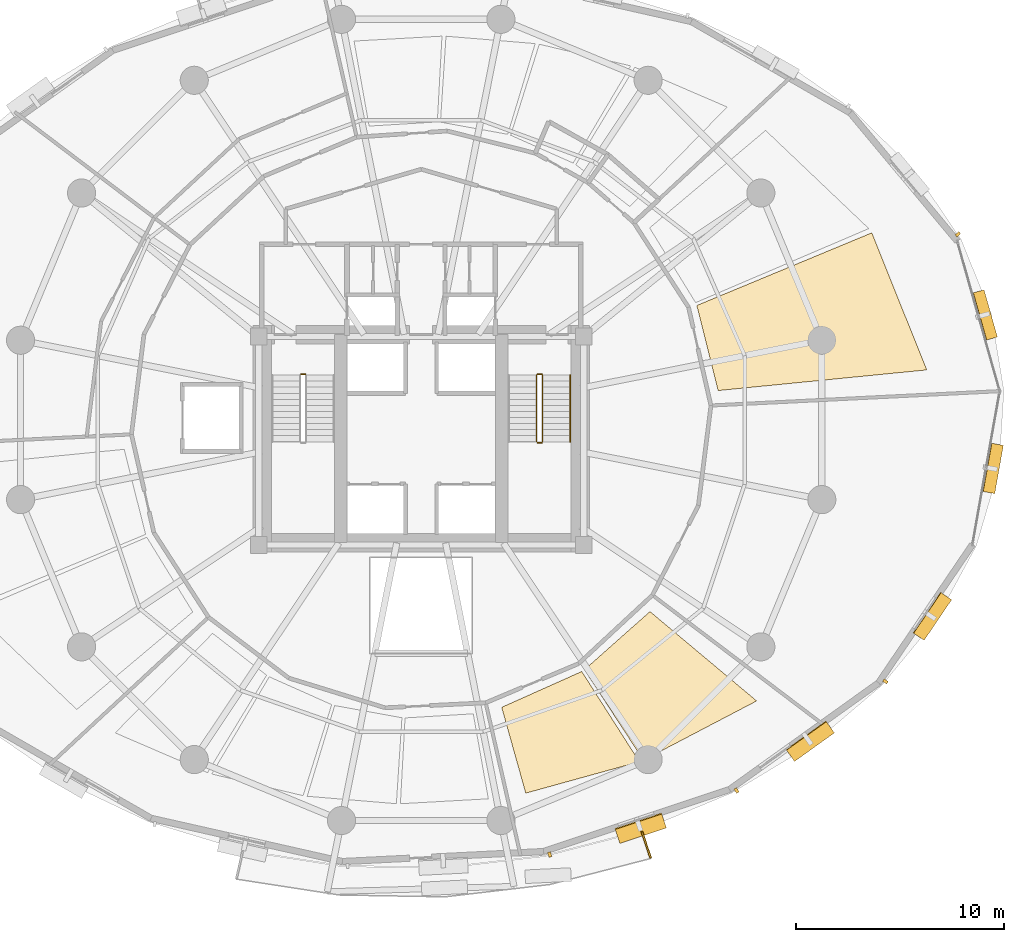
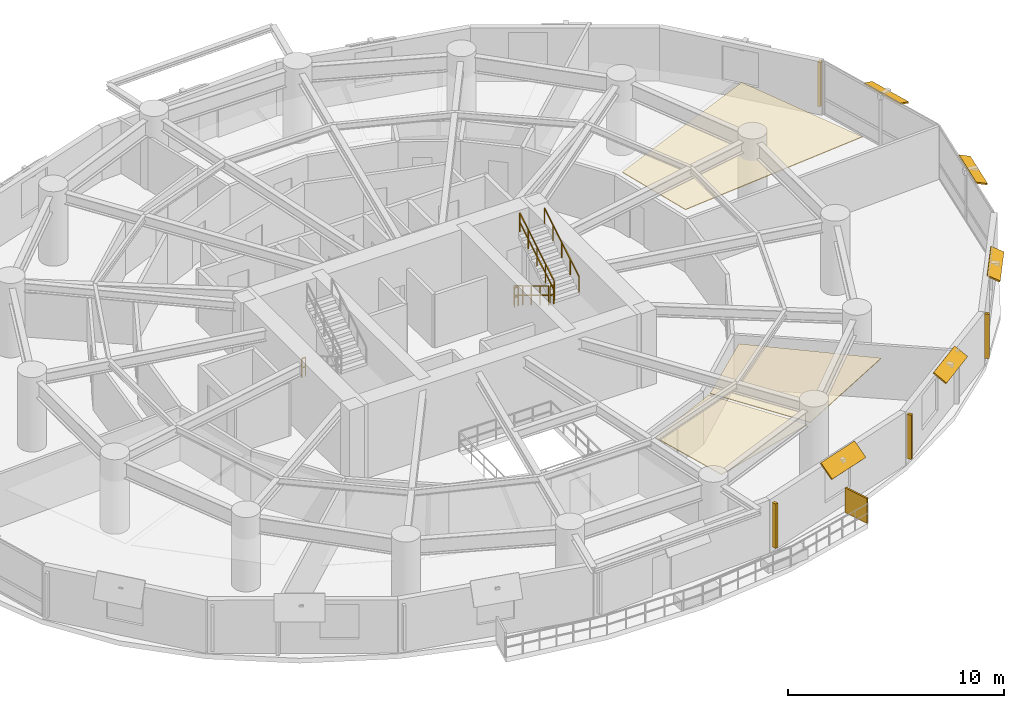
# One storey, part 15 of 16: 10 shading devices, 6 railings, 3 coverings.
"""IFC4 building model written with IfcOpenShell, lengths in metres."""

import ifcopenshell
import ifcopenshell.guid

model = None  # the IFC model being written
_history = None  # IfcOwnerHistory: only IFC2X3 demands one
_inside = {}  # id of a spatial element -> (the spatial element, [elements in it])
_under = {}  # id of a project, library or spatial element -> (it, [spatial elements below it])
_declared = {}  # id of a project -> (the project, [libraries it declares])
_typed = {}  # id of a type object -> (the type object, [elements of that type])
_made_of = {}  # id of a material, layer set ... -> (it, [elements and type objects made of it])


def new_model(schema):
    """Start an empty IFC model of exactly this schema.

    Asked for "IFC4X3", IfcOpenShell would pick the latest addendum, in which some entities
    have other attributes; the version numbers below select the first issue.
    IFC2X3 requires an IfcOwnerHistory on every rooted entity: one is made here for all.
    """
    global model, _history
    if schema == "IFC4X3":
        model = ifcopenshell.file(schema_version=(4, 3, 0, 0))
    else:
        model = ifcopenshell.file(schema=schema)
    _inside.clear()
    _under.clear()
    _declared.clear()
    _typed.clear()
    _made_of.clear()
    _history = None
    if model.schema == "IFC2X3":
        org = make("IfcOrganization", Name="unknown")
        user = make(
            "IfcPersonAndOrganization",
            ThePerson=make("IfcPerson", FamilyName="unknown"),
            TheOrganization=org,
        )
        app = make(
            "IfcApplication",
            ApplicationDeveloper=org,
            Version="unknown",
            ApplicationFullName="unknown",
            ApplicationIdentifier="unknown",
        )
        _history = make(
            "IfcOwnerHistory",
            OwningUser=user,
            OwningApplication=app,
            ChangeAction="ADDED",
            CreationDate=0,
        )
    return model


def make(cls, **values):
    """One entity of the class cls with the attributes given. An attribute that is None is left unset."""
    return model.create_entity(
        cls, **{name: value for name, value in values.items() if value is not None}
    )


def rooted(cls, **values):
    """An entity with a GlobalId (a new one), such as an element, a storey or a relation."""
    return make(cls, GlobalId=ifcopenshell.guid.new(), OwnerHistory=_history, **values)


def si_unit(unit_type, name, prefix=None):
    """IfcSIUnit, for example si_unit("LENGTHUNIT", "METRE", prefix="MILLI")."""
    return make("IfcSIUnit", UnitType=unit_type, Prefix=prefix, Name=name)


def assignment(units):
    """IfcUnitAssignment: the units of a project."""
    return None if units is None else make("IfcUnitAssignment", Units=units)


def point(xyz):
    """IfcCartesianPoint."""
    return None if xyz is None else make("IfcCartesianPoint", Coordinates=xyz)


def direction(xyz):
    """IfcDirection."""
    return None if xyz is None else make("IfcDirection", DirectionRatios=xyz)


def frame(location, z_axis=None, x_axis=None):
    """IfcAxis2Placement3D, a coordinate frame: its origin and axes. An axis left out is left unset."""
    return make(
        "IfcAxis2Placement3D",
        Location=point(location),
        Axis=direction(z_axis),
        RefDirection=direction(x_axis),
    )


def frame_2d(location, x_axis=None):
    """IfcAxis2Placement2D, a coordinate frame in the plane: its origin and x axis."""
    return make(
        "IfcAxis2Placement2D", Location=point(location), RefDirection=direction(x_axis)
    )


def origin():
    """The frame at (0, 0, 0) with its axes left unset."""
    return frame((0.0, 0.0, 0.0))


def origin_2d():
    """The frame at (0, 0) in the plane with its x axis left unset."""
    return frame_2d((0.0, 0.0))


def place(relative_to, where):
    """IfcLocalPlacement: puts the frame where relative to a parent placement (None: the world)."""
    return make(
        "IfcLocalPlacement", PlacementRelTo=relative_to, RelativePlacement=where
    )


def context(
    kind, dimensions, precision=None, world=None, true_north=None, identifier=None
):
    """IfcGeometricRepresentationContext, for example the 3D "Model" context."""
    return make(
        "IfcGeometricRepresentationContext",
        ContextIdentifier=identifier,
        ContextType=kind,
        CoordinateSpaceDimension=dimensions,
        Precision=precision,
        WorldCoordinateSystem=world,
        TrueNorth=true_north,
    )


def subcontext(parent, identifier, kind, view, scale=None):
    """IfcGeometricRepresentationSubContext, for example "Body" below "Model"."""
    return make(
        "IfcGeometricRepresentationSubContext",
        ContextIdentifier=identifier,
        ContextType=kind,
        ParentContext=parent,
        TargetScale=scale,
        TargetView=view,
    )


def project(units=None, contexts=None):
    """IfcProject with its units and contexts."""
    return rooted(
        "IfcProject",
        Name="project",
        RepresentationContexts=contexts,
        UnitsInContext=assignment(units),
    )


def spatial(cls, under=None, at=None, **own):
    """A site, building, storey or space (cls), placed at a placement, below another one or the project."""
    s = rooted(cls, ObjectPlacement=at, **own)
    if under is not None:
        _under.setdefault(under.id(), (under, []))[1].append(s)
    return s


def polyline(points):
    """IfcPolyline through the points."""
    return make("IfcPolyline", Points=[point(p) for p in points])


def profile(cls, at=None, kind="AREA", **sizes):
    """A parametric profile (cls). Its sizes go by their IFC names, for example OverallWidth=200.0."""
    return make(cls, ProfileType=kind, Position=at, **sizes)


def rectangle(**sizes):
    """IfcRectangleProfileDef."""
    return profile("IfcRectangleProfileDef", **sizes)


def outline(outer, holes=None, kind="AREA"):
    """IfcArbitraryClosedProfileDef: a profile drawn as a closed curve; with holes, ...WithVoids."""
    if holes is None:
        return make("IfcArbitraryClosedProfileDef", ProfileType=kind, OuterCurve=outer)
    return make(
        "IfcArbitraryProfileDefWithVoids",
        ProfileType=kind,
        OuterCurve=outer,
        InnerCurves=holes,
    )


def extrude(swept, where, along, depth):
    """IfcExtrudedAreaSolid: the profile swept, set in the frame where, extruded along a direction by depth."""
    return make(
        "IfcExtrudedAreaSolid",
        SweptArea=swept,
        Position=where,
        ExtrudedDirection=direction(along),
        Depth=depth,
    )


def shape(context_of_items, identifier, shape_type, items):
    """IfcShapeRepresentation: the items that make up one representation, for example the "Body"."""
    return make(
        "IfcShapeRepresentation",
        ContextOfItems=context_of_items,
        RepresentationIdentifier=identifier,
        RepresentationType=shape_type,
        Items=items,
    )


def material(Name=None, Category=None):
    """IfcMaterial."""
    return make("IfcMaterial", Name=Name, Category=Category)


def layer(
    of_material, thickness, ventilated=None, Name=None, Category=None, Priority=None
):
    """IfcMaterialLayer: one layer of a wall or slab, of a material (None: an air gap)."""
    return make(
        "IfcMaterialLayer",
        Material=of_material,
        LayerThickness=thickness,
        IsVentilated=ventilated,
        Name=Name,
        Category=Category,
        Priority=Priority,
    )


def layer_set(layers, Name=None):
    """IfcMaterialLayerSet."""
    return make("IfcMaterialLayerSet", MaterialLayers=layers, LayerSetName=Name)


def made_of(thing, what):
    """Note that an element or type object is made of a material, layer set ...; save() writes the relation."""
    if what is not None:
        _made_of.setdefault(what.id(), (what, []))[1].append(thing)
    return thing


def type_object(cls, material=None, **own):
    """A type object (cls), such as IfcWallType, which elements share."""
    return made_of(rooted(cls, **own), material)


def element(
    cls,
    number,
    at=None,
    inside=None,
    cuts=None,
    type_object=None,
    material=None,
    context=None,
    identifier="Body",
    shape_type=None,
    held_by="IfcProductDefinitionShape",
    body=None,
    shapes=None,
    **own,
):
    """One element of the class cls, such as IfcWall. Its Tag is "e" and its number.

    at: its placement. inside: the storey or other place that contains it. cuts: it is an
    opening in that element (IfcRelVoidsElement). A single representation is given by context,
    identifier, shape_type and body (its items); several are given by shapes. held_by: the class
    of the entity that holds the representations. save() writes the other relations.
    """
    e = rooted(cls, Tag="e%d" % number, ObjectPlacement=at, **own)
    if body is not None:
        shapes = [shape(context, identifier, shape_type, body)]
    if shapes is not None:
        e.Representation = make(held_by, Representations=shapes)
    if inside is not None:
        _inside.setdefault(inside.id(), (inside, []))[1].append(e)
    if cuts is not None:
        rooted(
            "IfcRelVoidsElement", RelatingBuildingElement=cuts, RelatedOpeningElement=e
        )
    if type_object is not None:
        _typed.setdefault(type_object.id(), (type_object, []))[1].append(e)
    return made_of(e, material)


def aggregate(whole, parts):
    """IfcRelAggregates: a whole, such as a stair, and the parts it consists of."""
    return rooted("IfcRelAggregates", RelatingObject=whole, RelatedObjects=parts)


def save(model, path):
    """Write the relations noted so far, then the file.

    IfcRelAggregates (storeys below a building ...), IfcRelContainedInSpatialStructure (elements
    in a storey), IfcRelDefinesByType, IfcRelAssociatesMaterial and IfcRelDeclares: one each for
    every whole, place, type object, material and project.
    """
    for whole, parts in _under.values():
        aggregate(whole, parts)
    for where, things in _inside.values():
        rooted(
            "IfcRelContainedInSpatialStructure",
            RelatedElements=things,
            RelatingStructure=where,
        )
    for kind, things in _typed.values():
        rooted("IfcRelDefinesByType", RelatedObjects=things, RelatingType=kind)
    for what, things in _made_of.values():
        rooted("IfcRelAssociatesMaterial", RelatedObjects=things, RelatingMaterial=what)
    for by, libraries in _declared.values():
        rooted("IfcRelDeclares", RelatingContext=by, RelatedDefinitions=libraries)
    model.write(path)


model = new_model("IFC4")

# Units and contexts
model_context = context("Model", 3, precision=1e-05, world=origin(), true_north=direction((0.0, 1.0)))
body_context = subcontext(model_context, "Body", "Model", "MODEL_VIEW")
ifc_project = project(units=[si_unit("LENGTHUNIT", "METRE"), si_unit("AREAUNIT", "SQUARE_METRE"), si_unit("VOLUMEUNIT", "CUBIC_METRE"), si_unit("PLANEANGLEUNIT", "RADIAN"), si_unit("MASSUNIT", "GRAM", prefix="KILO"), si_unit("THERMODYNAMICTEMPERATUREUNIT", "KELVIN"), si_unit("POWERUNIT", "WATT")], contexts=[model_context])

# Site, building, storey
site_placement = place(None, origin())
site = spatial("IfcSite", under=ifc_project, at=site_placement, CompositionType="ELEMENT")
building_placement = place(site_placement, origin())
building = spatial("IfcBuilding", under=site, at=building_placement, Name="Ocrelia Relay Tower", CompositionType="ELEMENT")
storey_placement = place(building_placement, frame((0.0, 0.0, 42.60009765625)))
storey = spatial("IfcBuildingStorey", under=building, at=storey_placement, Name="L09", CompositionType="ELEMENT", Elevation=42.60009765625)

# Coverings
ifc_material_1 = material(Name="Mineral-fiber acoustic ceiling tile", Category="gypsum")
ifc_layer_1 = layer(ifc_material_1, 0.0400390625, Name="Mineral-fiber acoustic ceiling tile")
ifc_layer_set_1 = layer_set([ifc_layer_1], Name="Mineral-fiber acoustic ceiling tile")
covering_type = type_object("IfcCoveringType", Name="COV-CEIL-ACOUSTIC", PredefinedType="CEILING", material=ifc_layer_set_1)
covering_1_placement = place(storey_placement, frame((0.0, 0.0, 2.919921875)))
element("IfcCovering", 1, at=covering_1_placement, inside=storey, type_object=covering_type, Name="L09 Monitoring Office E Suspended Ceiling 1", PredefinedType="CEILING", context=body_context, shape_type="SweptSolid", body=[
    extrude(outline(polyline([(37.863037109375, 12.2109375), (39.01708984375, 8.091552734375), (44.469482421875, 9.59765625), (41.70458984375, 13.929443359375), (37.863037109375, 12.2109375)])), origin(), (0.0, 0.0, 1.0), 0.0400390625),
])
covering_2_placement = place(storey_placement, frame((0.0, 0.0, 2.919921875)))
element("IfcCovering", 2, at=covering_2_placement, inside=storey, type_object=covering_type, Name="L09 Monitoring Office E Suspended Ceiling 2", PredefinedType="CEILING", context=body_context, shape_type="SweptSolid", body=[
    extrude(outline(polyline([(41.83056640625, 14.0107421875), (44.664306640625, 9.67236328125), (50.097900390625, 12.51611328125), (44.977783203125, 16.804931640625), (41.83056640625, 14.0107421875)])), origin(), (0.0, 0.0, 1.0), 0.0400390625),
])
covering_3_placement = place(storey_placement, frame((0.0, 0.0, 2.919921875)))
element("IfcCovering", 3, at=covering_3_placement, inside=storey, type_object=covering_type, Name="L09 Shift Staff Lounge Suspended Ceiling 1", PredefinedType="CEILING", context=body_context, shape_type="SweptSolid", body=[
    extrude(outline(polyline([(48.25048828125, 27.409912109375), (58.259521484375, 28.39990234375), (55.621826171875, 34.978271484375), (47.22509765625, 31.49169921875), (48.25048828125, 27.409912109375)])), origin(), (0.0, 0.0, 1.0), 0.0400390625),
])

# Railings
ifc_material_2 = material(Name="Steel S355 balustrade", Category="steel")
railing_type_1 = type_object("IfcRailingType", Name="RL-STAIR-GUARD", PredefinedType="GUARDRAIL", material=ifc_material_2)
railing_1_placement = place(storey_placement, frame((28.22998046875, 28.199951171875, 0.0)))
element("IfcRailing", 4, at=railing_1_placement, inside=storey, type_object=railing_type_1, Name="L09 ST1 stair guard 4", PredefinedType="GUARDRAIL", context=body_context, shape_type="SweptSolid", body=[
    extrude(rectangle(XDim=0.048095703125, YDim=0.048095703125, at=origin_2d()), frame((0.0, 0.0, 1.076171875), z_axis=(1.0, 0.0, 0.0), x_axis=(0.0, 1.0, 0.0)), (0.0, 0.0, 1.0), 0.199951171875),
    extrude(rectangle(XDim=0.048095703125, YDim=0.048095703125, at=origin_2d()), frame((0.0, 0.0, 0.550048828125), z_axis=(1.0, 0.0, 0.0), x_axis=(0.0, 1.0, 0.0)), (0.0, 0.0, 1.0), 0.199951171875),
    extrude(rectangle(XDim=0.0419921875, YDim=0.0419921875, at=origin_2d()), origin(), (0.0, 0.0, 1.0), 1.052001953125),
    extrude(rectangle(XDim=0.0419921875, YDim=0.0419921875, at=origin_2d()), frame((0.199951171875, 0.0, 0.0)), (0.0, 0.0, 1.0), 1.052001953125),
])
railing_2_placement = place(storey_placement, frame((39.530029296875, 28.14990234375, 0.1748046875)))
element("IfcRailing", 5, at=railing_2_placement, inside=storey, type_object=railing_type_1, Name="L09 ST2 stair guard 1", PredefinedType="GUARDRAIL", context=body_context, shape_type="SweptSolid", body=[
    extrude(rectangle(XDim=0.048095703125, YDim=0.048095703125, at=origin_2d()), frame((0.0, 0.0, 1.076171875), z_axis=(0.0, -0.856177665481, 0.516681531633), x_axis=(1.0, 0.0, 0.0)), (0.0, 0.0, 1.0), 3.725830078125),
    extrude(rectangle(XDim=0.048095703125, YDim=0.048095703125, at=origin_2d()), frame((0.0, 0.0, 0.550048828125), z_axis=(0.0, -0.856177665481, 0.516681531633), x_axis=(1.0, 0.0, 0.0)), (0.0, 0.0, 1.0), 3.725830078125),
    extrude(rectangle(XDim=0.0419921875, YDim=0.0419921875, at=origin_2d()), origin(), (0.0, 0.0, 1.0), 1.052001953125),
    extrude(rectangle(XDim=0.0419921875, YDim=0.0419921875, at=origin_2d()), frame((0.0, -0.79736328125, 0.481201171875)), (0.0, 0.0, 1.0), 1.052001953125),
    extrude(rectangle(XDim=0.0419921875, YDim=0.0419921875, at=origin_2d()), frame((0.0, -1.594970703125, 0.96240234375)), (0.0, 0.0, 1.0), 1.052001953125),
    extrude(rectangle(XDim=0.0419921875, YDim=0.0419921875, at=origin_2d()), frame((0.0, -2.392578125, 1.44384765625)), (0.0, 0.0, 1.0), 1.052001953125),
    extrude(rectangle(XDim=0.0419921875, YDim=0.0419921875, at=origin_2d()), frame((0.0, -3.18994140625, 1.925048828125)), (0.0, 0.0, 1.0), 1.052001953125),
])
railing_3_placement = place(storey_placement, frame((39.580078125, 24.909912109375, 2.099853515625)))
element("IfcRailing", 6, at=railing_3_placement, inside=storey, type_object=railing_type_1, Name="L09 ST2 stair guard 2", PredefinedType="GUARDRAIL", context=body_context, shape_type="SweptSolid", body=[
    extrude(rectangle(XDim=0.048095703125, YDim=0.048095703125, at=origin_2d()), frame((0.0, 0.0, 1.076171875), z_axis=(1.0, 0.0, 0.0), x_axis=(0.0, 1.0, 0.0)), (0.0, 0.0, 1.0), 0.199951171875),
    extrude(rectangle(XDim=0.048095703125, YDim=0.048095703125, at=origin_2d()), frame((0.0, 0.0, 0.550048828125), z_axis=(1.0, 0.0, 0.0), x_axis=(0.0, 1.0, 0.0)), (0.0, 0.0, 1.0), 0.199951171875),
    extrude(rectangle(XDim=0.0419921875, YDim=0.0419921875, at=origin_2d()), origin(), (0.0, 0.0, 1.0), 1.052001953125),
    extrude(rectangle(XDim=0.0419921875, YDim=0.0419921875, at=origin_2d()), frame((0.199951171875, 0.0, 0.0)), (0.0, 0.0, 1.0), 1.052001953125),
])
railing_4_placement = place(storey_placement, frame((39.830078125, 24.9599609375, 2.27490234375)))
element("IfcRailing", 7, at=railing_4_placement, inside=storey, type_object=railing_type_1, Name="L09 ST2 stair guard 3", PredefinedType="GUARDRAIL", context=body_context, shape_type="SweptSolid", body=[
    extrude(rectangle(XDim=0.048095703125, YDim=0.048095703125, at=origin_2d()), frame((0.0, 0.0, 1.076171875), z_axis=(0.0, 0.856177665481, 0.516681531633), x_axis=(-1.0, 0.0, 0.0)), (0.0, 0.0, 1.0), 3.725830078125),
    extrude(rectangle(XDim=0.048095703125, YDim=0.048095703125, at=origin_2d()), frame((0.0, 0.0, 0.550048828125), z_axis=(0.0, 0.856177665481, 0.516681531633), x_axis=(-1.0, 0.0, 0.0)), (0.0, 0.0, 1.0), 3.725830078125),
    extrude(rectangle(XDim=0.0419921875, YDim=0.0419921875, at=origin_2d()), origin(), (0.0, 0.0, 1.0), 1.052001953125),
    extrude(rectangle(XDim=0.0419921875, YDim=0.0419921875, at=origin_2d()), frame((0.0, 0.79736328125, 0.481201171875)), (0.0, 0.0, 1.0), 1.052001953125),
    extrude(rectangle(XDim=0.0419921875, YDim=0.0419921875, at=origin_2d()), frame((0.0, 1.594970703125, 0.96240234375)), (0.0, 0.0, 1.0), 1.052001953125),
    extrude(rectangle(XDim=0.0419921875, YDim=0.0419921875, at=origin_2d()), frame((0.0, 2.392578125, 1.44384765625)), (0.0, 0.0, 1.0), 1.052001953125),
    extrude(rectangle(XDim=0.0419921875, YDim=0.0419921875, at=origin_2d()), frame((0.0, 3.18994140625, 1.925048828125)), (0.0, 0.0, 1.0), 1.052001953125),
])
railing_5_placement = place(storey_placement, frame((39.580078125, 28.199951171875, 0.0)))
element("IfcRailing", 8, at=railing_5_placement, inside=storey, type_object=railing_type_1, Name="L09 ST2 stair guard 4", PredefinedType="GUARDRAIL", context=body_context, shape_type="SweptSolid", body=[
    extrude(rectangle(XDim=0.048095703125, YDim=0.048095703125, at=origin_2d()), frame((0.0, 0.0, 1.076171875), z_axis=(1.0, 0.0, 0.0), x_axis=(0.0, 1.0, 0.0)), (0.0, 0.0, 1.0), 0.199951171875),
    extrude(rectangle(XDim=0.048095703125, YDim=0.048095703125, at=origin_2d()), frame((0.0, 0.0, 0.550048828125), z_axis=(1.0, 0.0, 0.0), x_axis=(0.0, 1.0, 0.0)), (0.0, 0.0, 1.0), 0.199951171875),
    extrude(rectangle(XDim=0.0419921875, YDim=0.0419921875, at=origin_2d()), origin(), (0.0, 0.0, 1.0), 1.052001953125),
    extrude(rectangle(XDim=0.0419921875, YDim=0.0419921875, at=origin_2d()), frame((0.199951171875, 0.0, 0.0)), (0.0, 0.0, 1.0), 1.052001953125),
])
ifc_material_3 = material(Name="Steel S355 tubular handrail", Category="steel")
railing_type_2 = type_object("IfcRailingType", Name="RL-STAIR-HAND", PredefinedType="HANDRAIL", material=ifc_material_3)
railing_6_placement = place(storey_placement, frame((41.14990234375, 24.9599609375, 2.27490234375)))
element("IfcRailing", 9, at=railing_6_placement, inside=storey, type_object=railing_type_2, Name="L09 ST2 stair handrail 2", PredefinedType="HANDRAIL", context=body_context, shape_type="SweptSolid", body=[
    extrude(rectangle(XDim=0.048095703125, YDim=0.048095703125, at=origin_2d()), frame((0.0, 0.0, 0.8759765625), z_axis=(0.0, 0.856177665481, 0.516681531633), x_axis=(-1.0, 0.0, 0.0)), (0.0, 0.0, 1.0), 3.725830078125),
    extrude(rectangle(XDim=0.0419921875, YDim=0.0419921875, at=origin_2d()), origin(), (0.0, 0.0, 1.0), 0.851806640625),
    extrude(rectangle(XDim=0.0419921875, YDim=0.0419921875, at=origin_2d()), frame((0.0, 0.79736328125, 0.481201171875)), (0.0, 0.0, 1.0), 0.851806640625),
    extrude(rectangle(XDim=0.0419921875, YDim=0.0419921875, at=origin_2d()), frame((0.0, 1.594970703125, 0.96240234375)), (0.0, 0.0, 1.0), 0.851806640625),
    extrude(rectangle(XDim=0.0419921875, YDim=0.0419921875, at=origin_2d()), frame((0.0, 2.392578125, 1.44384765625)), (0.0, 0.0, 1.0), 0.851806640625),
    extrude(rectangle(XDim=0.0419921875, YDim=0.0419921875, at=origin_2d()), frame((0.0, 3.18994140625, 1.925048828125)), (0.0, 0.0, 1.0), 0.851806640625),
])

# Shading devices
ifc_material_4 = material(Name="Perforated oxide terracotta solar screen", Category="masonry")
ifc_layer_2 = layer(ifc_material_4, 0.090087890625, Name="Perforated oxide terracotta solar screen")
ifc_layer_set_2 = layer_set([ifc_layer_2], Name="Perforated oxide terracotta solar screen")
shading_device_type_1 = type_object("IfcShadingDeviceType", Name="SH-BALC-SCREEN", PredefinedType="USERDEFINED", material=ifc_layer_set_2)
shading_device_1_placement = place(storey_placement, frame((44.800048828125, 5.608642578125, 0.0), z_axis=(0.0, 0.0, 1.0), x_axis=(0.317540682139, -0.948244649438, 0.0)))
element("IfcShadingDevice", 10, at=shading_device_1_placement, inside=storey, type_object=shading_device_type_1, Name="L09 Balcony Perforated Terracotta Screen B2-2", ObjectType="SCREEN", PredefinedType="USERDEFINED", context=body_context, shape_type="SweptSolid", body=[
    extrude(rectangle(XDim=1.340087890625, YDim=0.090087890625, at=origin_2d()), origin(), (0.0, 0.0, 1.0), 1.39990234375),
])
ifc_material_5 = material(Name="Extruded oxide terracotta vertical baguette", Category="masonry")
shading_device_type_2 = type_object("IfcShadingDeviceType", Name="SH-TERR-BAGUETTE", PredefinedType="USERDEFINED", material=ifc_material_5)
for number, where, z_axis, x_axis, name in (
    (11, (59.751708984375, 34.906494140625, 0.25), (0.0, 0.0, 1.0), (-0.640772789184, 0.767730572949, 0.0), "L09 Oxide Terracotta Vertical Baguette 02"),
    (12, (40.164794921875, 5.147216796875, 0.25), (0.0, 0.0, 1.0), (0.948700284016, 0.316176803558, 0.0), "L09 Oxide Terracotta Vertical Baguette 15"),
    (13, (49.12890625, 8.22021484375, 0.25), (0.0, 0.0, 1.0), (0.813229055899, 0.581943728072, 0.0), "L09 Oxide Terracotta Vertical Baguette 16"),
    (14, (56.275390625, 13.453857421875, 0.25), (0.0, 0.0, 1.0), (0.561356604913, 0.827574022139, 0.0), "L09 Oxide Terracotta Vertical Baguette 17"),
):
    element("IfcShadingDevice", number, at=place(storey_placement, frame(where, z_axis=z_axis, x_axis=x_axis)), inside=storey, type_object=shading_device_type_2, Name=name, ObjectType="BAGUETTE", PredefinedType="USERDEFINED", context=body_context, shape_type="SweptSolid", body=[
        extrude(rectangle(XDim=0.139892578125, YDim=0.239990234375, at=origin_2d()), origin(), (0.0, 0.0, 1.0), 2.5),
    ])
ifc_material_6 = material(Name="Extruded oxide terracotta fin", Category="masonry")
ifc_layer_3 = layer(ifc_material_6, 0.080078125, Name="Extruded oxide terracotta fin")
ifc_layer_set_3 = layer_set([ifc_layer_3], Name="Extruded oxide terracotta fin")
shading_device_type_3 = type_object("IfcShadingDeviceType", Name="SH-VISOR-FIN-MED", PredefinedType="USERDEFINED", material=ifc_layer_set_3)
shading_device_2_placement = place(storey_placement, frame((44.5224609375, 6.43359375, 2.8095703125), z_axis=(0.205927257968, -0.617892413114, 0.758816796231), x_axis=(0.948700284016, 0.316176803558, 0.0)))
element("IfcShadingDevice", 15, at=shading_device_2_placement, inside=storey, type_object=shading_device_type_3, Name="L09 Canted Terracotta Sun-Visor Fin 15", ObjectType="FIN", PredefinedType="USERDEFINED", context=body_context, shape_type="SweptSolid", body=[
    extrude(rectangle(XDim=2.35009765625, YDim=0.927001953125, at=origin_2d()), origin(), (0.0, 0.0, 1.0), 0.080078125),
])
ifc_layer_4 = layer(ifc_material_6, 0.080078125, Name="Extruded oxide terracotta fin")
ifc_layer_set_4 = layer_set([ifc_layer_4], Name="Extruded oxide terracotta fin")
shading_device_type_4 = type_object("IfcShadingDeviceType", Name="SH-VISOR-FIN-SHAL", PredefinedType="USERDEFINED", material=ifc_layer_set_4)
shading_device_3_placement = place(storey_placement, frame((61.047119140625, 31.033203125, 2.802001953125), z_axis=(0.309438081197, 0.087622353526, 0.946874013303), x_axis=(-0.27245355901, 0.962168934326, 0.0)))
element("IfcShadingDevice", 16, at=shading_device_3_placement, inside=storey, type_object=shading_device_type_4, Name="L09 Canted Terracotta Sun-Visor Fin 01", ObjectType="FIN", PredefinedType="USERDEFINED", context=body_context, shape_type="SweptSolid", body=[
    extrude(rectangle(XDim=2.35009765625, YDim=0.56298828125, at=origin_2d()), origin(), (0.0, 0.0, 1.0), 0.080078125),
])
shading_device_4_placement = place(storey_placement, frame((52.654296875, 10.6025390625, 2.8056640625), z_axis=(0.305708511491, -0.427208048111, 0.850902808569), x_axis=(0.813229055899, 0.581943728072, 0.0)))
element("IfcShadingDevice", 17, at=shading_device_4_placement, inside=storey, type_object=shading_device_type_4, Name="L09 Canted Terracotta Sun-Visor Fin 16", ObjectType="FIN", PredefinedType="USERDEFINED", context=body_context, shape_type="SweptSolid", body=[
    extrude(rectangle(XDim=2.35009765625, YDim=0.778076171875, at=origin_2d()), origin(), (0.0, 0.0, 1.0), 0.080078125),
])
shading_device_5_placement = place(storey_placement, frame((58.5126953125, 16.58837890625, 2.8037109375), z_axis=(0.354061971505, -0.240165859411, 0.903858661687), x_axis=(0.561356604913, 0.827574022139, 0.0)))
element("IfcShadingDevice", 18, at=shading_device_5_placement, inside=storey, type_object=shading_device_type_4, Name="L09 Canted Terracotta Sun-Visor Fin 17", ObjectType="FIN", PredefinedType="USERDEFINED", context=body_context, shape_type="SweptSolid", body=[
    extrude(rectangle(XDim=2.35009765625, YDim=0.672119140625, at=origin_2d()), origin(), (0.0, 0.0, 1.0), 0.080078125),
])
shading_device_6_placement = place(storey_placement, frame((61.423095703125, 23.67724609375, 2.802490234375), z_axis=(0.355689339083, -0.063420326484, 0.932449975201), x_axis=(0.175534136375, 0.984473344975, 0.0)))
element("IfcShadingDevice", 19, at=shading_device_6_placement, inside=storey, type_object=shading_device_type_4, Name="L09 Canted Terracotta Sun-Visor Fin 18", ObjectType="FIN", PredefinedType="USERDEFINED", context=body_context, shape_type="SweptSolid", body=[
    extrude(rectangle(XDim=2.35009765625, YDim=0.60302734375, at=origin_2d()), origin(), (0.0, 0.0, 1.0), 0.080078125),
])

save(model, "model.ifc")
